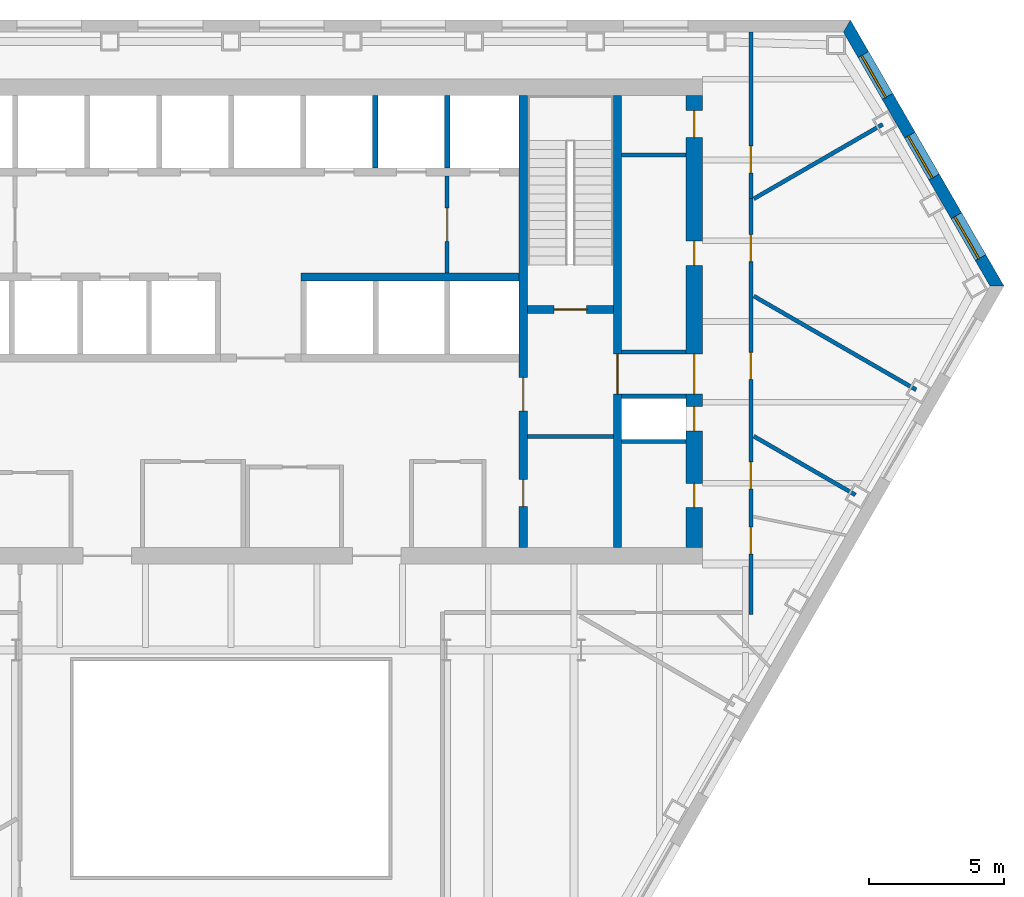
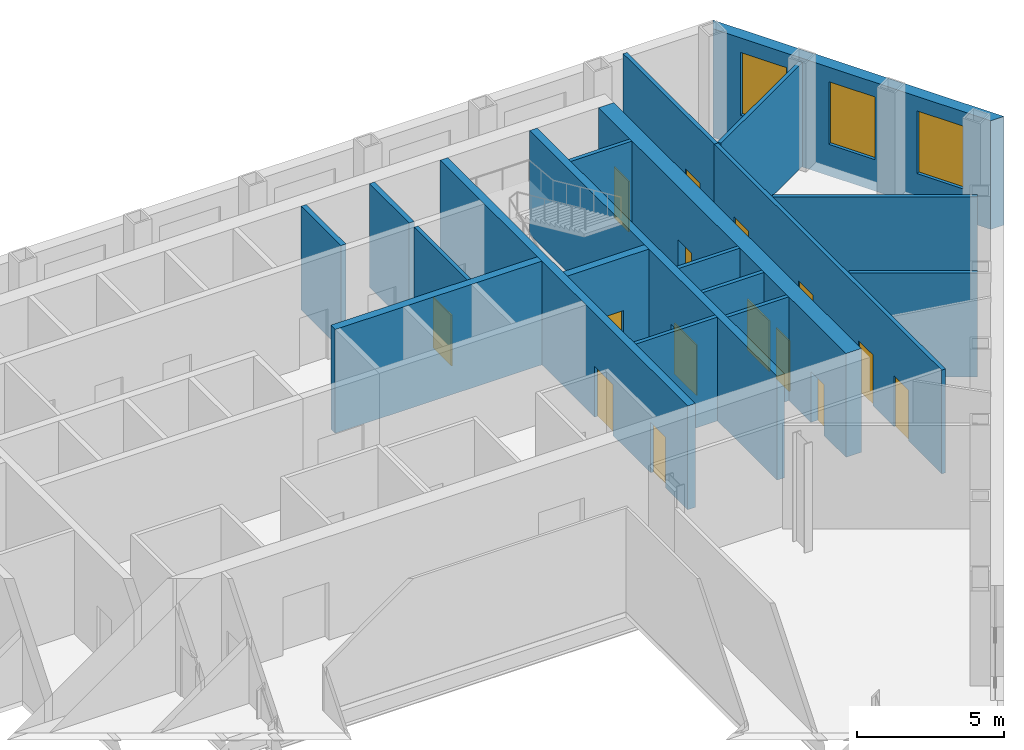
# One storey, part 7 of 10: 19 walls, 15 doors, 3 windows, 18 openings.
"""IFC4 building model written with IfcOpenShell, lengths in metres."""

import ifcopenshell
import ifcopenshell.guid

model = None  # the IFC model being written
_history = None  # IfcOwnerHistory: only IFC2X3 demands one
_inside = {}  # id of a spatial element -> (the spatial element, [elements in it])
_under = {}  # id of a project, library or spatial element -> (it, [spatial elements below it])
_declared = {}  # id of a project -> (the project, [libraries it declares])
_typed = {}  # id of a type object -> (the type object, [elements of that type])
_made_of = {}  # id of a material, layer set ... -> (it, [elements and type objects made of it])


def new_model(schema):
    """Start an empty IFC model of exactly this schema.

    Asked for "IFC4X3", IfcOpenShell would pick the latest addendum, in which some entities
    have other attributes; the version numbers below select the first issue.
    IFC2X3 requires an IfcOwnerHistory on every rooted entity: one is made here for all.
    """
    global model, _history
    if schema == "IFC4X3":
        model = ifcopenshell.file(schema_version=(4, 3, 0, 0))
    else:
        model = ifcopenshell.file(schema=schema)
    _inside.clear()
    _under.clear()
    _declared.clear()
    _typed.clear()
    _made_of.clear()
    _history = None
    if model.schema == "IFC2X3":
        org = make("IfcOrganization", Name="unknown")
        user = make(
            "IfcPersonAndOrganization",
            ThePerson=make("IfcPerson", FamilyName="unknown"),
            TheOrganization=org,
        )
        app = make(
            "IfcApplication",
            ApplicationDeveloper=org,
            Version="unknown",
            ApplicationFullName="unknown",
            ApplicationIdentifier="unknown",
        )
        _history = make(
            "IfcOwnerHistory",
            OwningUser=user,
            OwningApplication=app,
            ChangeAction="ADDED",
            CreationDate=0,
        )
    return model


def make(cls, **values):
    """One entity of the class cls with the attributes given. An attribute that is None is left unset."""
    return model.create_entity(
        cls, **{name: value for name, value in values.items() if value is not None}
    )


def rooted(cls, **values):
    """An entity with a GlobalId (a new one), such as an element, a storey or a relation."""
    return make(cls, GlobalId=ifcopenshell.guid.new(), OwnerHistory=_history, **values)


def si_unit(unit_type, name, prefix=None):
    """IfcSIUnit, for example si_unit("LENGTHUNIT", "METRE", prefix="MILLI")."""
    return make("IfcSIUnit", UnitType=unit_type, Prefix=prefix, Name=name)


def assignment(units):
    """IfcUnitAssignment: the units of a project."""
    return None if units is None else make("IfcUnitAssignment", Units=units)


def point(xyz):
    """IfcCartesianPoint."""
    return None if xyz is None else make("IfcCartesianPoint", Coordinates=xyz)


def direction(xyz):
    """IfcDirection."""
    return None if xyz is None else make("IfcDirection", DirectionRatios=xyz)


def frame(location, z_axis=None, x_axis=None):
    """IfcAxis2Placement3D, a coordinate frame: its origin and axes. An axis left out is left unset."""
    return make(
        "IfcAxis2Placement3D",
        Location=point(location),
        Axis=direction(z_axis),
        RefDirection=direction(x_axis),
    )


def frame_2d(location, x_axis=None):
    """IfcAxis2Placement2D, a coordinate frame in the plane: its origin and x axis."""
    return make(
        "IfcAxis2Placement2D", Location=point(location), RefDirection=direction(x_axis)
    )


def origin():
    """The frame at (0, 0, 0) with its axes left unset."""
    return frame((0.0, 0.0, 0.0))


def place(relative_to, where):
    """IfcLocalPlacement: puts the frame where relative to a parent placement (None: the world)."""
    return make(
        "IfcLocalPlacement", PlacementRelTo=relative_to, RelativePlacement=where
    )


def context(
    kind, dimensions, precision=None, world=None, true_north=None, identifier=None
):
    """IfcGeometricRepresentationContext, for example the 3D "Model" context."""
    return make(
        "IfcGeometricRepresentationContext",
        ContextIdentifier=identifier,
        ContextType=kind,
        CoordinateSpaceDimension=dimensions,
        Precision=precision,
        WorldCoordinateSystem=world,
        TrueNorth=true_north,
    )


def subcontext(parent, identifier, kind, view, scale=None):
    """IfcGeometricRepresentationSubContext, for example "Body" below "Model"."""
    return make(
        "IfcGeometricRepresentationSubContext",
        ContextIdentifier=identifier,
        ContextType=kind,
        ParentContext=parent,
        TargetScale=scale,
        TargetView=view,
    )


def project(units=None, contexts=None):
    """IfcProject with its units and contexts."""
    return rooted(
        "IfcProject",
        Name="project",
        RepresentationContexts=contexts,
        UnitsInContext=assignment(units),
    )


def spatial(cls, under=None, at=None, **own):
    """A site, building, storey or space (cls), placed at a placement, below another one or the project."""
    s = rooted(cls, ObjectPlacement=at, **own)
    if under is not None:
        _under.setdefault(under.id(), (under, []))[1].append(s)
    return s


def polyline(points):
    """IfcPolyline through the points."""
    return make("IfcPolyline", Points=[point(p) for p in points])


def profile(cls, at=None, kind="AREA", **sizes):
    """A parametric profile (cls). Its sizes go by their IFC names, for example OverallWidth=200.0."""
    return make(cls, ProfileType=kind, Position=at, **sizes)


def rectangle(**sizes):
    """IfcRectangleProfileDef."""
    return profile("IfcRectangleProfileDef", **sizes)


def outline(outer, holes=None, kind="AREA"):
    """IfcArbitraryClosedProfileDef: a profile drawn as a closed curve; with holes, ...WithVoids."""
    if holes is None:
        return make("IfcArbitraryClosedProfileDef", ProfileType=kind, OuterCurve=outer)
    return make(
        "IfcArbitraryProfileDefWithVoids",
        ProfileType=kind,
        OuterCurve=outer,
        InnerCurves=holes,
    )


def extrude(swept, where, along, depth):
    """IfcExtrudedAreaSolid: the profile swept, set in the frame where, extruded along a direction by depth."""
    return make(
        "IfcExtrudedAreaSolid",
        SweptArea=swept,
        Position=where,
        ExtrudedDirection=direction(along),
        Depth=depth,
    )


def shape(context_of_items, identifier, shape_type, items):
    """IfcShapeRepresentation: the items that make up one representation, for example the "Body"."""
    return make(
        "IfcShapeRepresentation",
        ContextOfItems=context_of_items,
        RepresentationIdentifier=identifier,
        RepresentationType=shape_type,
        Items=items,
    )


def material(Name=None, Category=None):
    """IfcMaterial."""
    return make("IfcMaterial", Name=Name, Category=Category)


def layer(
    of_material, thickness, ventilated=None, Name=None, Category=None, Priority=None
):
    """IfcMaterialLayer: one layer of a wall or slab, of a material (None: an air gap)."""
    return make(
        "IfcMaterialLayer",
        Material=of_material,
        LayerThickness=thickness,
        IsVentilated=ventilated,
        Name=Name,
        Category=Category,
        Priority=Priority,
    )


def layer_set(layers, Name=None):
    """IfcMaterialLayerSet."""
    return make("IfcMaterialLayerSet", MaterialLayers=layers, LayerSetName=Name)


def made_of(thing, what):
    """Note that an element or type object is made of a material, layer set ...; save() writes the relation."""
    if what is not None:
        _made_of.setdefault(what.id(), (what, []))[1].append(thing)
    return thing


def type_object(cls, material=None, **own):
    """A type object (cls), such as IfcWallType, which elements share."""
    return made_of(rooted(cls, **own), material)


def element(
    cls,
    number,
    at=None,
    inside=None,
    cuts=None,
    type_object=None,
    material=None,
    context=None,
    identifier="Body",
    shape_type=None,
    held_by="IfcProductDefinitionShape",
    body=None,
    shapes=None,
    **own,
):
    """One element of the class cls, such as IfcWall. Its Tag is "e" and its number.

    at: its placement. inside: the storey or other place that contains it. cuts: it is an
    opening in that element (IfcRelVoidsElement). A single representation is given by context,
    identifier, shape_type and body (its items); several are given by shapes. held_by: the class
    of the entity that holds the representations. save() writes the other relations.
    """
    e = rooted(cls, Tag="e%d" % number, ObjectPlacement=at, **own)
    if body is not None:
        shapes = [shape(context, identifier, shape_type, body)]
    if shapes is not None:
        e.Representation = make(held_by, Representations=shapes)
    if inside is not None:
        _inside.setdefault(inside.id(), (inside, []))[1].append(e)
    if cuts is not None:
        rooted(
            "IfcRelVoidsElement", RelatingBuildingElement=cuts, RelatedOpeningElement=e
        )
    if type_object is not None:
        _typed.setdefault(type_object.id(), (type_object, []))[1].append(e)
    return made_of(e, material)


def fill(opening, filler):
    """IfcRelFillsElement: the door or window that sits in an opening."""
    return rooted(
        "IfcRelFillsElement",
        RelatingOpeningElement=opening,
        RelatedBuildingElement=filler,
    )


def aggregate(whole, parts):
    """IfcRelAggregates: a whole, such as a stair, and the parts it consists of."""
    return rooted("IfcRelAggregates", RelatingObject=whole, RelatedObjects=parts)


def save(model, path):
    """Write the relations noted so far, then the file.

    IfcRelAggregates (storeys below a building ...), IfcRelContainedInSpatialStructure (elements
    in a storey), IfcRelDefinesByType, IfcRelAssociatesMaterial and IfcRelDeclares: one each for
    every whole, place, type object, material and project.
    """
    for whole, parts in _under.values():
        aggregate(whole, parts)
    for where, things in _inside.values():
        rooted(
            "IfcRelContainedInSpatialStructure",
            RelatedElements=things,
            RelatingStructure=where,
        )
    for kind, things in _typed.values():
        rooted("IfcRelDefinesByType", RelatedObjects=things, RelatingType=kind)
    for what, things in _made_of.values():
        rooted("IfcRelAssociatesMaterial", RelatedObjects=things, RelatingMaterial=what)
    for by, libraries in _declared.values():
        rooted("IfcRelDeclares", RelatingContext=by, RelatedDefinitions=libraries)
    model.write(path)


model = new_model("IFC4")

# Units and contexts
model_context = context("Model", 3, precision=1e-05, world=origin(), true_north=direction((0.0, 1.0)))
body_context = subcontext(model_context, "Body", "Model", "MODEL_VIEW")
ifc_project = project(units=[si_unit("LENGTHUNIT", "METRE"), si_unit("AREAUNIT", "SQUARE_METRE"), si_unit("VOLUMEUNIT", "CUBIC_METRE"), si_unit("PLANEANGLEUNIT", "RADIAN"), si_unit("MASSUNIT", "GRAM", prefix="KILO")], contexts=[model_context])

# Site, building, storey
site_placement = place(None, origin())
site = spatial("IfcSite", under=ifc_project, at=site_placement, CompositionType="ELEMENT")
building_placement = place(site_placement, origin())
building = spatial("IfcBuilding", under=site, at=building_placement, Name="Njiva Tower", CompositionType="ELEMENT")
storey_placement = place(building_placement, frame((0.0, 0.0, 51.3)))
storey = spatial("IfcBuildingStorey", under=building, at=storey_placement, Name="L10", CompositionType="ELEMENT", Elevation=51.3)

# Walls
ifc_material_1 = material(Name="Blockwork", Category="masonry")
ifc_layer_1 = layer(ifc_material_1, 0.15)
ifc_layer_set_1 = layer_set([ifc_layer_1], Name="Blockwork")
wall_type_1 = type_object("IfcWallType", Name="WT1 Compartment partition 150", PredefinedType="PARTITIONING", material=ifc_layer_set_1)
wall_1_placement = place(storey_placement, frame((11.0, 4.725, 0.0), z_axis=(0.0, 0.0, 1.0), x_axis=(1.0, 0.0, 0.0)))
element("IfcWall", 1, at=wall_1_placement, inside=storey, type_object=wall_type_1, Name="Room wall B", PredefinedType="PARTITIONING", context=body_context, shape_type="SweptSolid", body=[
    extrude(rectangle(XDim=3.2, YDim=0.15, at=frame_2d((1.6, 0.0))), origin(), (0.0, 0.0, 1.0), 4.3),
])
wall_2_placement = place(storey_placement, frame((14.5, 15.1914, 0.0), z_axis=(0.0, 0.0, 1.0), x_axis=(1.0, 0.0, 0.0)))
element("IfcWall", 2, at=wall_2_placement, inside=storey, type_object=wall_type_1, Name="Partition strip E10", PredefinedType="PARTITIONING", context=body_context, shape_type="SweptSolid", body=[
    extrude(rectangle(XDim=2.4, YDim=0.15, at=frame_2d((1.2, 0.0))), origin(), (0.0, 0.0, 1.0), 4.3),
])

# Wall, openings, doors
ifc_material_2 = material(Name="Concrete C40/50", Category="concrete")
ifc_layer_2 = layer(ifc_material_2, 0.3)
ifc_layer_set_2 = layer_set([ifc_layer_2], Name="Concrete C40/50")
wall_type_2 = type_object("IfcWallType", Name="WT10 Stair enclosure wall 300", PredefinedType="SHEAR", material=ifc_layer_set_2)
wall_3_placement = place(storey_placement, frame((10.85, 0.6, 0.0), z_axis=(0.0, 0.0, 1.0), x_axis=(0.0, 1.0, 0.0)))
wall_3 = element("IfcWall", 3, at=wall_3_placement, inside=storey, type_object=wall_type_2, Name="Stair wall east inner", PredefinedType="SHEAR", context=body_context, shape_type="SweptSolid", body=[
    extrude(rectangle(XDim=16.8, YDim=0.3, at=frame_2d((8.4, 0.0))), origin(), (0.0, 0.0, 1.0), 4.3),
])
opening_1_placement = place(wall_3_placement, frame((5.075, 0.0, 0.0)))
opening_1 = element("IfcOpeningElement", 4, at=opening_1_placement, cuts=wall_3, Name="Opening S03-D918", PredefinedType="OPENING", context=body_context, shape_type="SweptSolid", body=[
    extrude(rectangle(XDim=1.25, YDim=2.1, at=frame_2d((0.625, 1.05))), frame((0.0, 0.16, 0.0), z_axis=(0.0, -1.0, 0.0), x_axis=(1.0, 0.0, 0.0)), (0.0, 0.0, 1.0), 0.32),
])
opening_2_placement = place(wall_3_placement, frame((1.525, 0.0, 0.0)))
opening_2 = element("IfcOpeningElement", 5, at=opening_2_placement, cuts=wall_3, Name="Opening S03-D919", PredefinedType="OPENING", context=body_context, shape_type="SweptSolid", body=[
    extrude(rectangle(XDim=1.0, YDim=2.1, at=frame_2d((0.5, 1.05))), frame((0.0, 0.16, 0.0), z_axis=(0.0, -1.0, 0.0), x_axis=(1.0, 0.0, 0.0)), (0.0, 0.0, 1.0), 0.32),
])
ifc_material_3 = material(Name="Steel door, painted", Category="steel")
door_type_1 = type_object("IfcDoorType", Name="D5 Steel door 1000x2100", OperationType="SINGLE_SWING_LEFT", PredefinedType="DOOR", material=ifc_material_3)
door_1_placement = place(opening_2_placement, origin())
door_1 = element("IfcDoor", 6, at=door_1_placement, inside=storey, type_object=door_type_1, Name="Reading room door", OperationType="SINGLE_SWING_LEFT", OverallHeight=2.1, OverallWidth=1.0, PredefinedType="DOOR", context=body_context, shape_type="SweptSolid", body=[
    extrude(rectangle(XDim=1.0, YDim=2.1, at=frame_2d((0.5, 1.05))), frame((0.0, 0.025, 0.0), z_axis=(0.0, -1.0, 0.0), x_axis=(1.0, 0.0, 0.0)), (0.0, 0.0, 1.0), 0.05),
])
fill(opening_2, door_1)
ifc_material_4 = material(Name="Glazed steel fire door", Category="steel")
door_type_2 = type_object("IfcDoorType", Name="D8 Vestibule corridor door 1250x2100 glazed", OperationType="SINGLE_SWING_LEFT", PredefinedType="DOOR", material=ifc_material_4)
door_2_placement = place(opening_1_placement, origin())
door_2 = element("IfcDoor", 7, at=door_2_placement, inside=storey, type_object=door_type_2, Name="Stair vestibule corridor door", OperationType="SINGLE_SWING_RIGHT", OverallHeight=2.1, OverallWidth=1.25, PredefinedType="DOOR", context=body_context, shape_type="SweptSolid", body=[
    extrude(rectangle(XDim=1.25, YDim=2.1, at=frame_2d((0.625, 1.05))), frame((0.0, 0.025, 0.0), z_axis=(0.0, -1.0, 0.0), x_axis=(1.0, 0.0, 0.0)), (0.0, 0.0, 1.0), 0.05),
])
fill(opening_1, door_2)

# Wall, opening, door
wall_4_placement = place(storey_placement, frame((14.35, 0.6, 0.0), z_axis=(0.0, 0.0, 1.0), x_axis=(0.0, 1.0, 0.0)))
wall_4 = element("IfcWall", 8, at=wall_4_placement, inside=storey, type_object=wall_type_2, Name="Stair wall east outer", PredefinedType="SHEAR", context=body_context, shape_type="SweptSolid", body=[
    extrude(rectangle(XDim=16.8, YDim=0.3, at=frame_2d((8.4, 0.0))), origin(), (0.0, 0.0, 1.0), 4.3),
])
opening_3_placement = place(wall_4_placement, frame((5.7, 0.0, 0.0)))
opening_3 = element("IfcOpeningElement", 9, at=opening_3_placement, cuts=wall_4, Name="Opening S03-D926", PredefinedType="OPENING", context=body_context, shape_type="SweptSolid", body=[
    extrude(rectangle(XDim=1.5, YDim=2.1, at=frame_2d((0.75, 1.05))), frame((0.0, 0.16, 0.0), z_axis=(0.0, -1.0, 0.0), x_axis=(1.0, 0.0, 0.0)), (0.0, 0.0, 1.0), 0.32),
])
door_type_3 = type_object("IfcDoorType", Name="D10 Exit door double 1500x2100 glazed", OperationType="DOUBLE_DOOR_SINGLE_SWING", PredefinedType="DOOR", material=ifc_material_4)
door_3_placement = place(opening_3_placement, origin())
door_3 = element("IfcDoor", 10, at=door_3_placement, inside=storey, type_object=door_type_3, Name="Stair B passage door", OperationType="DOUBLE_DOOR_SINGLE_SWING", OverallHeight=2.1, OverallWidth=1.5, PredefinedType="DOOR", context=body_context, shape_type="SweptSolid", body=[
    extrude(rectangle(XDim=1.5, YDim=2.1, at=frame_2d((0.75, 1.05))), frame((0.0, 0.025, 0.0), z_axis=(0.0, -1.0, 0.0), x_axis=(1.0, 0.0, 0.0)), (0.0, 0.0, 1.0), 0.05),
])
fill(opening_3, door_3)

wall_5_placement = place(storey_placement, frame((11.0, 9.45, 0.0), z_axis=(0.0, 0.0, 1.0), x_axis=(1.0, 0.0, 0.0)))
wall_5 = element("IfcWall", 11, at=wall_5_placement, inside=storey, type_object=wall_type_2, Name="Stair B south wall", PredefinedType="SHEAR", context=body_context, shape_type="SweptSolid", body=[
    extrude(rectangle(XDim=3.2, YDim=0.3, at=frame_2d((1.6, 0.0))), origin(), (0.0, 0.0, 1.0), 4.3),
])
opening_4_placement = place(wall_5_placement, frame((1.0, 0.0, 0.0)))
opening_4 = element("IfcOpeningElement", 12, at=opening_4_placement, cuts=wall_5, Name="Opening S03-D917", PredefinedType="OPENING", context=body_context, shape_type="SweptSolid", body=[
    extrude(rectangle(XDim=1.2, YDim=2.1, at=frame_2d((0.6, 1.05))), frame((0.0, 0.16, 0.0), z_axis=(0.0, -1.0, 0.0), x_axis=(1.0, 0.0, 0.0)), (0.0, 0.0, 1.0), 0.32),
])
door_type_4 = type_object("IfcDoorType", Name="D7 Stair vestibule door 1200x2100 glazed", OperationType="SINGLE_SWING_LEFT", PredefinedType="DOOR", material=ifc_material_4)
door_4_placement = place(opening_4_placement, origin())
door_4 = element("IfcDoor", 13, at=door_4_placement, inside=storey, type_object=door_type_4, Name="Stair B door", OperationType="SINGLE_SWING_LEFT", OverallHeight=2.1, OverallWidth=1.2, PredefinedType="DOOR", context=body_context, shape_type="SweptSolid", body=[
    extrude(rectangle(XDim=1.2, YDim=2.1, at=frame_2d((0.6, 1.05))), frame((0.0, 0.025, 0.0), z_axis=(0.0, -1.0, 0.0), x_axis=(1.0, 0.0, 0.0)), (0.0, 0.0, 1.0), 0.05),
])
fill(opening_4, door_4)

# Wall, openings, doors
ifc_material_5 = material(Name="Concrete C60/75", Category="concrete")
ifc_layer_3 = layer(ifc_material_5, 0.6)
ifc_layer_set_3 = layer_set([ifc_layer_3], Name="Concrete C60/75")
wall_type_3 = type_object("IfcWallType", Name="WT15 Core wall 600", PredefinedType="SHEAR", material=ifc_layer_set_3)
wall_6_placement = place(storey_placement, frame((17.2, 0.6, 0.0), z_axis=(0.0, 0.0, 1.0), x_axis=(0.0, 1.0, 0.0)))
wall_6 = element("IfcWall", 14, at=wall_6_placement, inside=storey, type_object=wall_type_3, Name="Core wall east", PredefinedType="SHEAR", context=body_context, shape_type="SweptSolid", body=[
    extrude(rectangle(XDim=16.8, YDim=0.6, at=frame_2d((8.4, 0.0))), origin(), (0.0, 0.0, 1.0), 4.3),
])
opening_5_placement = place(wall_6_placement, frame((5.7, 0.0, 0.0)))
opening_5 = element("IfcOpeningElement", 15, at=opening_5_placement, cuts=wall_6, Name="Opening S03-D927", PredefinedType="OPENING", context=body_context, shape_type="SweptSolid", body=[
    extrude(rectangle(XDim=1.5, YDim=2.1, at=frame_2d((0.75, 1.05))), frame((0.0, 0.31, 0.0), z_axis=(0.0, -1.0, 0.0), x_axis=(1.0, 0.0, 0.0)), (0.0, 0.0, 1.0), 0.62),
])
opening_6_placement = place(wall_6_placement, frame((1.4885, 0.0, 0.0)))
opening_6 = element("IfcOpeningElement", 16, at=opening_6_placement, cuts=wall_6, Name="Opening S03-D928", PredefinedType="OPENING", context=body_context, shape_type="SweptSolid", body=[
    extrude(rectangle(XDim=0.9, YDim=2.1, at=frame_2d((0.45, 1.05))), frame((0.0, 0.31, 0.0), z_axis=(0.0, -1.0, 0.0), x_axis=(1.0, 0.0, 0.0)), (0.0, 0.0, 1.0), 0.62),
])
opening_7_placement = place(wall_6_placement, frame((4.3385, 0.0, 0.0)))
opening_7 = element("IfcOpeningElement", 17, at=opening_7_placement, cuts=wall_6, Name="Opening S03-D929", PredefinedType="OPENING", context=body_context, shape_type="SweptSolid", body=[
    extrude(rectangle(XDim=0.9, YDim=2.1, at=frame_2d((0.45, 1.05))), frame((0.0, 0.31, 0.0), z_axis=(0.0, -1.0, 0.0), x_axis=(1.0, 0.0, 0.0)), (0.0, 0.0, 1.0), 0.62),
])
opening_8_placement = place(wall_6_placement, frame((10.4832, 0.0, 0.0)))
opening_8 = element("IfcOpeningElement", 18, at=opening_8_placement, cuts=wall_6, Name="Opening S03-D930", PredefinedType="OPENING", context=body_context, shape_type="SweptSolid", body=[
    extrude(rectangle(XDim=0.9, YDim=2.1, at=frame_2d((0.45, 1.05))), frame((0.0, 0.31, 0.0), z_axis=(0.0, -1.0, 0.0), x_axis=(1.0, 0.0, 0.0)), (0.0, 0.0, 1.0), 0.62),
])
opening_9_placement = place(wall_6_placement, frame((15.2332, 0.0, 0.0)))
opening_9 = element("IfcOpeningElement", 19, at=opening_9_placement, cuts=wall_6, Name="Opening S03-D931", PredefinedType="OPENING", context=body_context, shape_type="SweptSolid", body=[
    extrude(rectangle(XDim=1.0, YDim=2.1, at=frame_2d((0.5, 1.05))), frame((0.0, 0.31, 0.0), z_axis=(0.0, -1.0, 0.0), x_axis=(1.0, 0.0, 0.0)), (0.0, 0.0, 1.0), 0.62),
])
door_5_placement = place(opening_5_placement, origin())
door_5 = element("IfcDoor", 20, at=door_5_placement, inside=storey, type_object=door_type_3, Name="Stair B corridor door", OperationType="DOUBLE_DOOR_SINGLE_SWING", OverallHeight=2.1, OverallWidth=1.5, PredefinedType="DOOR", context=body_context, shape_type="SweptSolid", body=[
    extrude(rectangle(XDim=1.5, YDim=2.1, at=frame_2d((0.75, 1.05))), frame((0.0, 0.025, 0.0), z_axis=(0.0, -1.0, 0.0), x_axis=(1.0, 0.0, 0.0)), (0.0, 0.0, 1.0), 0.05),
])
fill(opening_5, door_5)
door_type_5 = type_object("IfcDoorType", Name="D4 Riser door 900x2100", OperationType="SINGLE_SWING_LEFT", PredefinedType="DOOR", material=ifc_material_3)
door_6_placement = place(opening_7_placement, origin())
door_6 = element("IfcDoor", 21, at=door_6_placement, inside=storey, type_object=door_type_5, Name="Riser door", OperationType="SINGLE_SWING_LEFT", OverallHeight=2.1, OverallWidth=0.9, PredefinedType="DOOR", context=body_context, shape_type="SweptSolid", body=[
    extrude(rectangle(XDim=0.9, YDim=2.1, at=frame_2d((0.45, 1.05))), frame((0.0, 0.025, 0.0), z_axis=(0.0, -1.0, 0.0), x_axis=(1.0, 0.0, 0.0)), (0.0, 0.0, 1.0), 0.05),
])
fill(opening_7, door_6)
door_7_placement = place(opening_9_placement, origin())
door_7 = element("IfcDoor", 22, at=door_7_placement, inside=storey, type_object=door_type_1, Name="Telecoms room door", OperationType="SINGLE_SWING_LEFT", OverallHeight=2.1, OverallWidth=1.0, PredefinedType="DOOR", context=body_context, shape_type="SweptSolid", body=[
    extrude(rectangle(XDim=1.0, YDim=2.1, at=frame_2d((0.5, 1.05))), frame((0.0, 0.025, 0.0), z_axis=(0.0, -1.0, 0.0), x_axis=(1.0, 0.0, 0.0)), (0.0, 0.0, 1.0), 0.05),
])
fill(opening_9, door_7)
ifc_material_6 = material(Name="Steel fire door, painted", Category="steel")
door_type_6 = type_object("IfcDoorType", Name="D6 Fire-rated door 900x2100", OperationType="SINGLE_SWING_LEFT", PredefinedType="DOOR", material=ifc_material_6)
door_8_placement = place(opening_6_placement, origin())
door_8 = element("IfcDoor", 23, at=door_8_placement, inside=storey, type_object=door_type_6, Name="Reading room door", OperationType="SINGLE_SWING_RIGHT", OverallHeight=2.1, OverallWidth=0.9, PredefinedType="DOOR", context=body_context, shape_type="SweptSolid", body=[
    extrude(rectangle(XDim=0.9, YDim=2.1, at=frame_2d((0.45, 1.05))), frame((0.0, 0.025, 0.0), z_axis=(0.0, -1.0, 0.0), x_axis=(1.0, 0.0, 0.0)), (0.0, 0.0, 1.0), 0.05),
])
fill(opening_6, door_8)
door_9_placement = place(opening_8_placement, origin())
door_9 = element("IfcDoor", 24, at=door_9_placement, inside=storey, type_object=door_type_6, Name="Tenant centre door", OperationType="SINGLE_SWING_LEFT", OverallHeight=2.1, OverallWidth=0.9, PredefinedType="DOOR", context=body_context, shape_type="SweptSolid", body=[
    extrude(rectangle(XDim=0.9, YDim=2.1, at=frame_2d((0.45, 1.05))), frame((0.0, 0.025, 0.0), z_axis=(0.0, -1.0, 0.0), x_axis=(1.0, 0.0, 0.0)), (0.0, 0.0, 1.0), 0.05),
])
fill(opening_8, door_9)

# Wall, opening, door
ifc_layer_4 = layer(ifc_material_1, 0.15)
ifc_layer_set_4 = layer_set([ifc_layer_4], Name="Blockwork")
wall_type_4 = type_object("IfcWallType", Name="WT2 Lobby partition 150", PredefinedType="PARTITIONING", material=ifc_layer_set_4)
wall_7_placement = place(storey_placement, frame((8.025, 10.8, 0.0), z_axis=(0.0, 0.0, 1.0), x_axis=(0.0, 1.0, 0.0)))
wall_7 = element("IfcWall", 25, at=wall_7_placement, inside=storey, type_object=wall_type_4, Name="Firefighting lobby wall B", PredefinedType="PARTITIONING", context=body_context, shape_type="SweptSolid", body=[
    extrude(rectangle(XDim=3.6, YDim=0.15, at=frame_2d((1.8, 0.0))), origin(), (0.0, 0.0, 1.0), 4.3),
])
opening_10_placement = place(wall_7_placement, frame((1.175, 0.0, 0.0)))
opening_10 = element("IfcOpeningElement", 26, at=opening_10_placement, cuts=wall_7, Name="Opening S03-D916", PredefinedType="OPENING", context=body_context, shape_type="SweptSolid", body=[
    extrude(rectangle(XDim=1.25, YDim=2.1, at=frame_2d((0.625, 1.05))), frame((0.0, 0.085, 0.0), z_axis=(0.0, -1.0, 0.0), x_axis=(1.0, 0.0, 0.0)), (0.0, 0.0, 1.0), 0.17),
])
door_10_placement = place(opening_10_placement, origin())
door_10 = element("IfcDoor", 27, at=door_10_placement, inside=storey, type_object=door_type_2, Name="Stair vestibule corridor door", OperationType="SINGLE_SWING_LEFT", OverallHeight=2.1, OverallWidth=1.25, PredefinedType="DOOR", context=body_context, shape_type="SweptSolid", body=[
    extrude(rectangle(XDim=1.25, YDim=2.1, at=frame_2d((0.625, 1.05))), frame((0.0, 0.025, 0.0), z_axis=(0.0, -1.0, 0.0), x_axis=(1.0, 0.0, 0.0)), (0.0, 0.0, 1.0), 0.05),
])
fill(opening_10, door_10)

# Wall, openings, doors
ifc_material_7 = material(Name="Gypsum board on steel studs", Category="gypsum")
ifc_layer_5 = layer(ifc_material_7, 0.15)
ifc_layer_set_5 = layer_set([ifc_layer_5], Name="Gypsum board on steel studs")
wall_type_5 = type_object("IfcWallType", Name="WT21 Compartment wall 150", PredefinedType="PARTITIONING", material=ifc_layer_set_5)
wall_8_placement = place(storey_placement, frame((19.3, -1.875, 0.0), z_axis=(0.0, 0.0, 1.0), x_axis=(6.4750065e-05, 0.999999997904, 0.0)))
wall_8 = element("IfcWall", 28, at=wall_8_placement, inside=storey, type_object=wall_type_5, Name="Partition S03-P016", PredefinedType="PARTITIONING", context=body_context, shape_type="SweptSolid", body=[
    extrude(rectangle(XDim=15.444, YDim=0.15, at=frame_2d((7.722, 0.0))), origin(), (0.0, 0.0, 1.0), 4.3),
])
opening_11_placement = place(wall_8_placement, frame((2.242, 0.0, 0.0)))
opening_11 = element("IfcOpeningElement", 29, at=opening_11_placement, cuts=wall_8, Name="Opening S03-D009", PredefinedType="OPENING", context=body_context, shape_type="SweptSolid", body=[
    extrude(rectangle(XDim=1.0, YDim=2.1, at=frame_2d((0.5, 1.05))), frame((0.0, 0.085, 0.0), z_axis=(0.0, -1.0, 0.0), x_axis=(1.0, 0.0, 0.0)), (0.0, 0.0, 1.0), 0.17),
])
opening_12_placement = place(wall_8_placement, frame((4.664, 0.0, 0.0)))
opening_12 = element("IfcOpeningElement", 30, at=opening_12_placement, cuts=wall_8, Name="Opening S03-D010", PredefinedType="OPENING", context=body_context, shape_type="SweptSolid", body=[
    extrude(rectangle(XDim=1.0, YDim=2.1, at=frame_2d((0.5, 1.05))), frame((0.0, 0.085, 0.0), z_axis=(0.0, -1.0, 0.0), x_axis=(1.0, 0.0, 0.0)), (0.0, 0.0, 1.0), 0.17),
])
opening_13_placement = place(wall_8_placement, frame((8.732, 0.0, 0.0)))
opening_13 = element("IfcOpeningElement", 31, at=opening_13_placement, cuts=wall_8, Name="Opening S03-D011", PredefinedType="OPENING", context=body_context, shape_type="SweptSolid", body=[
    extrude(rectangle(XDim=1.0, YDim=2.1, at=frame_2d((0.5, 1.05))), frame((0.0, 0.085, 0.0), z_axis=(0.0, -1.0, 0.0), x_axis=(1.0, 0.0, 0.0)), (0.0, 0.0, 1.0), 0.17),
])
opening_14_placement = place(wall_8_placement, frame((13.102, 0.0, 0.0)))
opening_14 = element("IfcOpeningElement", 32, at=opening_14_placement, cuts=wall_8, Name="Opening S03-D012", PredefinedType="OPENING", context=body_context, shape_type="SweptSolid", body=[
    extrude(rectangle(XDim=1.0, YDim=2.1, at=frame_2d((0.5, 1.05))), frame((0.0, 0.085, 0.0), z_axis=(0.0, -1.0, 0.0), x_axis=(1.0, 0.0, 0.0)), (0.0, 0.0, 1.0), 0.17),
])
ifc_material_8 = material(Name="Steel fire door set", Category="steel")
door_type_7 = type_object("IfcDoorType", Name="D37 Fire door 1000x2100", OperationType="SINGLE_SWING_LEFT", PredefinedType="DOOR", material=ifc_material_8)
door_11_placement = place(opening_11_placement, origin())
door_11 = element("IfcDoor", 33, at=door_11_placement, inside=storey, type_object=door_type_7, Name="Door S03-D009", OperationType="SINGLE_SWING_LEFT", OverallHeight=2.1, OverallWidth=1.0, PredefinedType="DOOR", context=body_context, shape_type="SweptSolid", body=[
    extrude(rectangle(XDim=1.0, YDim=2.1, at=frame_2d((0.5, 1.05))), frame((0.0, 0.025, 0.0), z_axis=(0.0, -1.0, 0.0), x_axis=(1.0, 0.0, 0.0)), (0.0, 0.0, 1.0), 0.05),
])
fill(opening_11, door_11)
door_12_placement = place(opening_12_placement, origin())
door_12 = element("IfcDoor", 34, at=door_12_placement, inside=storey, type_object=door_type_7, Name="Door S03-D010", OperationType="SINGLE_SWING_LEFT", OverallHeight=2.1, OverallWidth=1.0, PredefinedType="DOOR", context=body_context, shape_type="SweptSolid", body=[
    extrude(rectangle(XDim=1.0, YDim=2.1, at=frame_2d((0.5, 1.05))), frame((0.0, 0.025, 0.0), z_axis=(0.0, -1.0, 0.0), x_axis=(1.0, 0.0, 0.0)), (0.0, 0.0, 1.0), 0.05),
])
fill(opening_12, door_12)
door_13_placement = place(opening_13_placement, origin())
door_13 = element("IfcDoor", 35, at=door_13_placement, inside=storey, type_object=door_type_7, Name="Door S03-D011", OperationType="SINGLE_SWING_RIGHT", OverallHeight=2.1, OverallWidth=1.0, PredefinedType="DOOR", context=body_context, shape_type="SweptSolid", body=[
    extrude(rectangle(XDim=1.0, YDim=2.1, at=frame_2d((0.5, 1.05))), frame((0.0, 0.025, 0.0), z_axis=(0.0, -1.0, 0.0), x_axis=(1.0, 0.0, 0.0)), (0.0, 0.0, 1.0), 0.05),
])
fill(opening_13, door_13)
door_14_placement = place(opening_14_placement, origin())
door_14 = element("IfcDoor", 36, at=door_14_placement, inside=storey, type_object=door_type_7, Name="Door S03-D012", OperationType="SINGLE_SWING_RIGHT", OverallHeight=2.1, OverallWidth=1.0, PredefinedType="DOOR", context=body_context, shape_type="SweptSolid", body=[
    extrude(rectangle(XDim=1.0, YDim=2.1, at=frame_2d((0.5, 1.05))), frame((0.0, 0.025, 0.0), z_axis=(0.0, -1.0, 0.0), x_axis=(1.0, 0.0, 0.0)), (0.0, 0.0, 1.0), 0.05),
])
fill(opening_14, door_14)

# Wall, opening, door
wall_9_placement = place(storey_placement, frame((19.3, 19.749, 0.0), z_axis=(0.0, 0.0, 1.0), x_axis=(0.000161812296, -0.999999986908, 0.0)))
wall_9 = element("IfcWall", 37, at=wall_9_placement, inside=storey, type_object=wall_type_5, Name="Partition S03-P017", PredefinedType="PARTITIONING", context=body_context, shape_type="SweptSolid", body=[
    extrude(rectangle(XDim=6.18, YDim=0.15, at=frame_2d((3.09, 0.0))), origin(), (0.0, 0.0, 1.0), 4.3),
])
opening_15_placement = place(wall_9_placement, frame((4.225, 0.0, 0.0)))
opening_15 = element("IfcOpeningElement", 38, at=opening_15_placement, cuts=wall_9, Name="Opening S03-D013", PredefinedType="OPENING", context=body_context, shape_type="SweptSolid", body=[
    extrude(rectangle(XDim=1.0, YDim=2.1, at=frame_2d((0.5, 1.05))), frame((0.0, 0.085, 0.0), z_axis=(0.0, -1.0, 0.0), x_axis=(1.0, 0.0, 0.0)), (0.0, 0.0, 1.0), 0.17),
])
door_15_placement = place(opening_15_placement, origin())
door_15 = element("IfcDoor", 39, at=door_15_placement, inside=storey, type_object=door_type_7, Name="Door S03-D013", OperationType="SINGLE_SWING_LEFT", OverallHeight=2.1, OverallWidth=1.0, PredefinedType="DOOR", context=body_context, shape_type="SweptSolid", body=[
    extrude(rectangle(XDim=1.0, YDim=2.1, at=frame_2d((0.5, 1.05))), frame((0.0, 0.025, 0.0), z_axis=(0.0, -1.0, 0.0), x_axis=(1.0, 0.0, 0.0)), (0.0, 0.0, 1.0), 0.05),
])
fill(opening_15, door_15)

# Walls
wall_10_placement = place(storey_placement, frame((19.413, 4.74, 0.0), z_axis=(0.0, 0.0, 1.0), x_axis=(0.866017446268, -0.50001378257, 0.0)))
element("IfcWall", 40, at=wall_10_placement, inside=storey, type_object=wall_type_5, Name="Partition S03-P019", PredefinedType="PARTITIONING", context=body_context, shape_type="SweptSolid", body=[
    extrude(rectangle(XDim=4.3579, YDim=0.15, at=frame_2d((2.179, 0.0))), origin(), (0.0, 0.0, 1.0), 4.3),
])
wall_11_placement = place(storey_placement, frame((19.413, 9.946, 0.0), z_axis=(0.0, 0.0, 1.0), x_axis=(0.866042039906, -0.499971184285, 0.0)))
element("IfcWall", 41, at=wall_11_placement, inside=storey, type_object=wall_type_5, Name="Partition S03-P020", PredefinedType="PARTITIONING", context=body_context, shape_type="SweptSolid", body=[
    extrude(rectangle(XDim=6.9604, YDim=0.15, at=frame_2d((3.4802, 0.0))), origin(), (0.0, 0.0, 1.0), 4.3),
])
wall_12_placement = place(storey_placement, frame((19.413, 13.56, 0.0), z_axis=(0.0, 0.0, 1.0), x_axis=(0.866040948072, 0.499973075538, 0.0)))
element("IfcWall", 42, at=wall_12_placement, inside=storey, type_object=wall_type_5, Name="Partition S03-P021", PredefinedType="PARTITIONING", context=body_context, shape_type="SweptSolid", body=[
    extrude(rectangle(XDim=5.5263, YDim=0.15, at=frame_2d((2.7632, 0.0))), origin(), (0.0, 0.0, 1.0), 4.3),
])
ifc_layer_6 = layer(ifc_material_1, 0.15)
ifc_layer_set_6 = layer_set([ifc_layer_6], Name="Blockwork")
wall_type_6 = type_object("IfcWallType", Name="WT3 Riser partition 150", PredefinedType="PARTITIONING", material=ifc_layer_set_6)
wall_13_placement = place(storey_placement, frame((14.5, 4.5519, 0.0), z_axis=(0.0, 0.0, 1.0), x_axis=(1.0, 0.0, 0.0)))
element("IfcWall", 43, at=wall_13_placement, inside=storey, type_object=wall_type_6, Name="Partition strip E00", PredefinedType="PARTITIONING", context=body_context, shape_type="SweptSolid", body=[
    extrude(rectangle(XDim=2.4, YDim=0.15, at=frame_2d((1.2, 0.0))), origin(), (0.0, 0.0, 1.0), 4.3),
])
ifc_layer_7 = layer(ifc_material_1, 0.15)
ifc_layer_set_7 = layer_set([ifc_layer_7], Name="Blockwork")
wall_type_7 = type_object("IfcWallType", Name="WT4 Stair partition 150", PredefinedType="PARTITIONING", material=ifc_layer_set_7)
for number, where, z_axis, x_axis, name in (
    (44, (14.5, 6.225, 0.0), (0.0, 0.0, 1.0), (1.0, 0.0, 0.0), "Stair B exit passage wall south"),
    (45, (14.5, 7.875, 0.0), (0.0, 0.0, 1.0), (1.0, 0.0, 0.0), "Stair B exit passage wall north"),
):
    element("IfcWall", number, at=place(storey_placement, frame(where, z_axis=z_axis, x_axis=x_axis)), inside=storey, type_object=wall_type_7, Name=name, PredefinedType="PARTITIONING", context=body_context, shape_type="SweptSolid", body=[
        extrude(rectangle(XDim=2.4, YDim=0.15, at=frame_2d((1.2, 0.0))), origin(), (0.0, 0.0, 1.0), 4.3),
    ])
ifc_layer_8 = layer(ifc_material_2, 0.2)
ifc_layer_set_8 = layer_set([ifc_layer_8], Name="Concrete C40/50")
wall_type_8 = type_object("IfcWallType", Name="WT6 Lift shaft wall 200", PredefinedType="SHEAR", material=ifc_layer_set_8)
for number, where, z_axis, x_axis, name in (
    (46, (5.35, 14.7, 0.0), (0.0, 0.0, 1.0), (0.0, 1.0, 0.0), "Shaft wall CN6"),
    (47, (8.025, 14.7, 0.0), (0.0, 0.0, 1.0), (0.0, 1.0, 0.0), "Shaft wall CN7"),
):
    element("IfcWall", number, at=place(storey_placement, frame(where, z_axis=z_axis, x_axis=x_axis)), inside=storey, type_object=wall_type_8, Name=name, PredefinedType="SHEAR", context=body_context, shape_type="SweptSolid", body=[
        extrude(rectangle(XDim=2.7, YDim=0.2, at=frame_2d((1.35, 0.0))), origin(), (0.0, 0.0, 1.0), 4.3),
    ])
ifc_layer_9 = layer(ifc_material_2, 0.3)
ifc_layer_set_9 = layer_set([ifc_layer_9], Name="Concrete C40/50")
wall_type_9 = type_object("IfcWallType", Name="WT7 Lift shaft wall 300", PredefinedType="SHEAR", material=ifc_layer_set_9)
wall_14_placement = place(storey_placement, frame((2.6, 10.65, 0.0), z_axis=(0.0, 0.0, 1.0), x_axis=(1.0, 0.0, 0.0)))
element("IfcWall", 48, at=wall_14_placement, inside=storey, type_object=wall_type_9, Name="Shaft wall south row lobby side E", PredefinedType="SHEAR", context=body_context, shape_type="SweptSolid", body=[
    extrude(rectangle(XDim=8.1, YDim=0.3, at=frame_2d((4.05, 0.0))), origin(), (0.0, 0.0, 1.0), 4.3),
])

# Wall, openings, windows
ifc_material_9 = material(Name="Brick masonry, buff", Category="masonry")
ifc_layer_10 = layer(ifc_material_9, 0.45)
ifc_layer_set_10 = layer_set([ifc_layer_10], Name="Brick masonry, buff")
wall_type_10 = type_object("IfcWallType", Name="WT94 Brick pier and spandrel wall 450, buff", PredefinedType="SOLIDWALL", material=ifc_layer_set_10)
wall_15_placement = place(storey_placement, frame((28.4452, 10.3187, -0.4), z_axis=(0.0, 0.0, 1.0), x_axis=(-0.500002192499, 0.866024137941, 0.0)))
wall_15 = element("IfcWall", 49, at=wall_15_placement, inside=storey, type_object=wall_type_10, Name="Facade wall NE", PredefinedType="SOLIDWALL", context=body_context, shape_type="SweptSolid", body=[
    extrude(outline(polyline([(-0.1299, -0.225), (11.2801, -0.225), (11.0203, 0.225), (0.1299, 0.225), (-0.1299, -0.225)])), origin(), (0.0, 0.0, 1.0), 4.5),
])
opening_16_placement = place(wall_15_placement, frame((1.2181, 0.0, 1.3)))
opening_16 = element("IfcOpeningElement", 50, at=opening_16_placement, cuts=wall_15, Name="Opening S03-W33", PredefinedType="OPENING", context=body_context, shape_type="SweptSolid", body=[
    extrude(rectangle(XDim=1.8, YDim=2.6, at=frame_2d((0.9, 1.3))), frame((0.0, 0.235, 0.0), z_axis=(0.0, -1.0, 0.0), x_axis=(1.0, 0.0, 0.0)), (0.0, 0.0, 1.0), 0.47),
])
opening_17_placement = place(wall_15_placement, frame((4.6751, 0.0, 1.3)))
opening_17 = element("IfcOpeningElement", 51, at=opening_17_placement, cuts=wall_15, Name="Opening S03-W34", PredefinedType="OPENING", context=body_context, shape_type="SweptSolid", body=[
    extrude(rectangle(XDim=1.8, YDim=2.6, at=frame_2d((0.9, 1.3))), frame((0.0, 0.235, 0.0), z_axis=(0.0, -1.0, 0.0), x_axis=(1.0, 0.0, 0.0)), (0.0, 0.0, 1.0), 0.47),
])
opening_18_placement = place(wall_15_placement, frame((8.1321, 0.0, 1.3)))
opening_18 = element("IfcOpeningElement", 52, at=opening_18_placement, cuts=wall_15, Name="Opening S03-W35", PredefinedType="OPENING", context=body_context, shape_type="SweptSolid", body=[
    extrude(rectangle(XDim=1.8, YDim=2.6, at=frame_2d((0.9, 1.3))), frame((0.0, 0.235, 0.0), z_axis=(0.0, -1.0, 0.0), x_axis=(1.0, 0.0, 0.0)), (0.0, 0.0, 1.0), 0.47),
])
ifc_material_10 = material(Name="Clear glazing in aluminium frame", Category="aluminium")
window_type = type_object("IfcWindowType", Name="W96 Deep-set window 1800x2600", PartitioningType="SINGLE_PANEL", PredefinedType="WINDOW", material=ifc_material_10)
window_1_placement = place(opening_16_placement, origin())
window_1 = element("IfcWindow", 53, at=window_1_placement, inside=storey, type_object=window_type, Name="Window", OverallHeight=2.6, OverallWidth=1.8, PartitioningType="SINGLE_PANEL", PredefinedType="WINDOW", context=body_context, shape_type="SweptSolid", body=[
    extrude(rectangle(XDim=1.8, YDim=2.6, at=frame_2d((0.9, 1.3))), frame((0.0, 0.105, 0.0), z_axis=(0.0, -1.0, 0.0), x_axis=(1.0, 0.0, 0.0)), (0.0, 0.0, 1.0), 0.06),
])
fill(opening_16, window_1)
window_2_placement = place(opening_17_placement, origin())
window_2 = element("IfcWindow", 54, at=window_2_placement, inside=storey, type_object=window_type, Name="Window", OverallHeight=2.6, OverallWidth=1.8, PartitioningType="SINGLE_PANEL", PredefinedType="WINDOW", context=body_context, shape_type="SweptSolid", body=[
    extrude(rectangle(XDim=1.8, YDim=2.6, at=frame_2d((0.9, 1.3))), frame((0.0, 0.105, 0.0), z_axis=(0.0, -1.0, 0.0), x_axis=(1.0, 0.0, 0.0)), (0.0, 0.0, 1.0), 0.06),
])
fill(opening_17, window_2)
window_3_placement = place(opening_18_placement, origin())
window_3 = element("IfcWindow", 55, at=window_3_placement, inside=storey, type_object=window_type, Name="Window", OverallHeight=2.6, OverallWidth=1.8, PartitioningType="SINGLE_PANEL", PredefinedType="WINDOW", context=body_context, shape_type="SweptSolid", body=[
    extrude(rectangle(XDim=1.8, YDim=2.6, at=frame_2d((0.9, 1.3))), frame((0.0, 0.105, 0.0), z_axis=(0.0, -1.0, 0.0), x_axis=(1.0, 0.0, 0.0)), (0.0, 0.0, 1.0), 0.06),
])
fill(opening_18, window_3)

save(model, "model.ifc")
